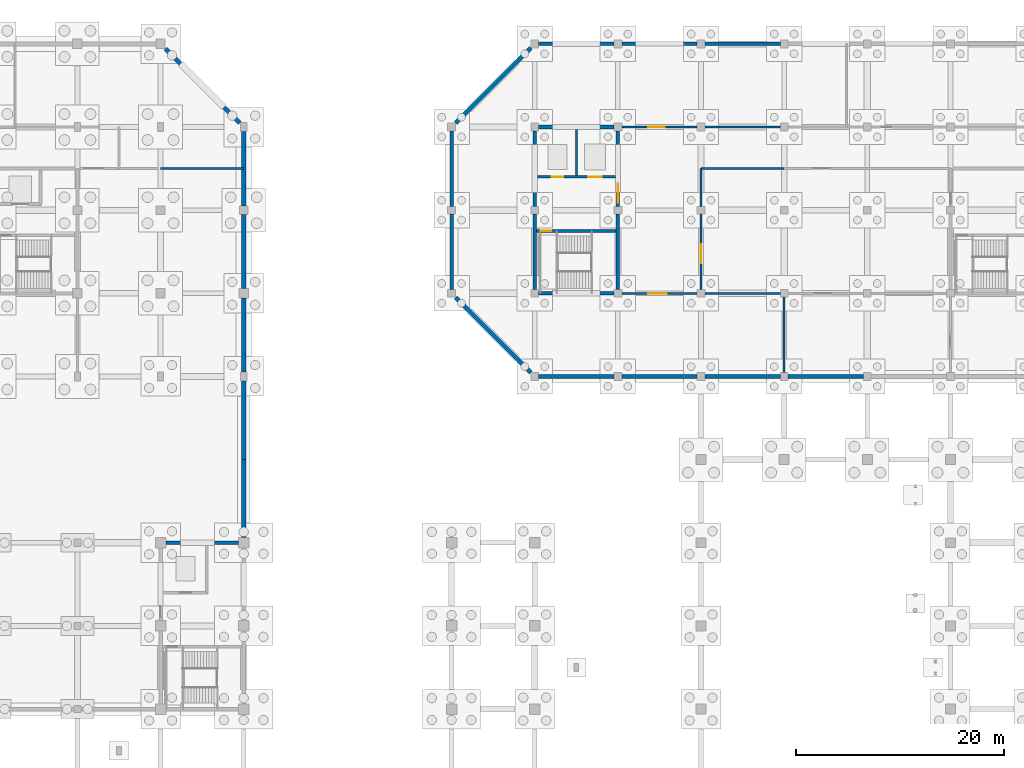
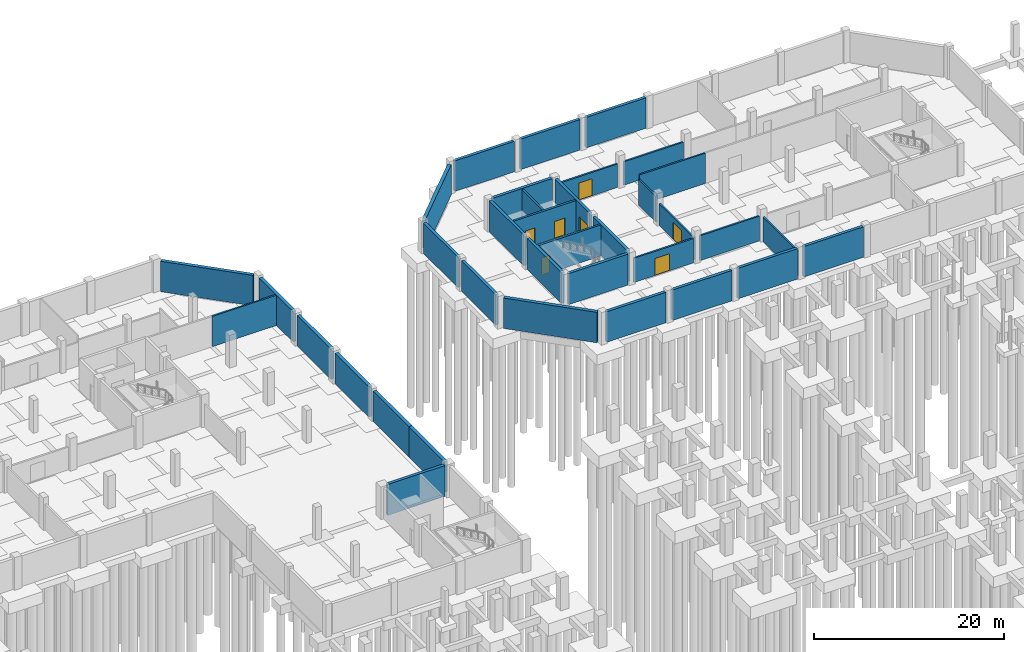
# One storey, part 24 of 32: 36 walls, 7 doors, 7 openings.
"""IFC4 building model written with IfcOpenShell, lengths in metres."""

from ifc_helpers import new_model, si_unit, direction, frame, frame_2d, origin, place, context, subcontext, project, spatial, rectangle, extrude, material, layer, layer_set, type_object, element, fill, save


model = new_model("IFC4")

# Units and contexts
model_context = context("Model", 3, precision=1e-05, world=origin(), true_north=direction((0.0, 1.0)))
body_context = subcontext(model_context, "Body", "Model", "MODEL_VIEW")
ifc_project = project(units=[si_unit("LENGTHUNIT", "METRE"), si_unit("AREAUNIT", "SQUARE_METRE"), si_unit("VOLUMEUNIT", "CUBIC_METRE"), si_unit("PLANEANGLEUNIT", "RADIAN"), si_unit("MASSUNIT", "GRAM", prefix="KILO")], contexts=[model_context])

# Site, building, storey
site_placement = place(None, origin())
site = spatial("IfcSite", under=ifc_project, at=site_placement, CompositionType="ELEMENT")
building_placement = place(site_placement, origin())
building = spatial("IfcBuilding", under=site, at=building_placement, Name="Tenunan Teduh Sports Hall", CompositionType="ELEMENT")
storey_placement = place(building_placement, frame((0.0, 0.0, -4.199951171875)))
storey = spatial("IfcBuildingStorey", under=building, at=storey_placement, Name="B1", CompositionType="ELEMENT", Elevation=-4.199951171875)

# Wall, opening, door
ifc_material_1 = material(Name="Concrete C40/50", Category="concrete")
ifc_layer_1 = layer(ifc_material_1, 0.25)
ifc_layer_set_1 = layer_set([ifc_layer_1], Name="Concrete C40/50")
wall_type_1 = type_object("IfcWallType", Name="WL-COR-250", PredefinedType="SOLIDWALL", material=ifc_layer_set_1)
wall_1_placement = place(storey_placement, frame((106.175048828125, 100.0, 0.0), z_axis=(0.0, 0.0, 1.0), x_axis=(1.0, 0.0, 0.0)))
wall_1 = element("IfcWall", 1, at=wall_1_placement, inside=storey, type_object=wall_type_1, Name="WL-COR-B1-160", PredefinedType="SOLIDWALL", context=body_context, shape_type="SweptSolid", body=[
    extrude(rectangle(XDim=7.64990234375, YDim=0.25, at=frame_2d((3.824951171875, 0.0))), origin(), (0.0, 0.0, 1.0), 3.97998046875),
])
opening_1_placement = place(wall_1_placement, frame((0.425048828125, 0.0, 0.0)))
opening_1 = element("IfcOpeningElement", 2, at=opening_1_placement, cuts=wall_1, Name="Opening FD-01", PredefinedType="OPENING", context=body_context, shape_type="SweptSolid", body=[
    extrude(rectangle(XDim=1.0, YDim=2.199951171875, at=frame_2d((0.5, 1.10009765625))), frame((0.0, 0.135009765625, 0.0), z_axis=(0.0, -1.0, 0.0), x_axis=(1.0, 0.0, 0.0)), (0.0, 0.0, 1.0), 0.27001953125),
])
ifc_material_2 = material(Name="Fire-rated steel leaf and frame", Category="steel")
door_type_1 = type_object("IfcDoorType", Name="FDR-01", OperationType="SINGLE_SWING_LEFT", PredefinedType="DOOR", material=ifc_material_2)
door_1_placement = place(opening_1_placement, frame((1.0, 0.0, 0.0), z_axis=(0.0, 0.0, 1.0), x_axis=(-1.0, 0.0, 0.0)))
door_1 = element("IfcDoor", 3, at=door_1_placement, inside=storey, type_object=door_type_1, Name="DR-INT-B1-060", OperationType="SINGLE_SWING_LEFT", OverallHeight=2.199951171875, OverallWidth=1.0, PredefinedType="DOOR", context=body_context, shape_type="SweptSolid", body=[
    extrude(rectangle(XDim=1.0, YDim=2.199951171875, at=frame_2d((0.5, 1.10009765625))), frame((0.0, 0.02490234375, 0.0), z_axis=(0.0, -1.0, 0.0), x_axis=(1.0, 0.0, 0.0)), (0.0, 0.0, 1.0), 0.050048828125),
])
fill(opening_1, door_1)

# Wall, openings, doors
wall_2_placement = place(storey_placement, frame((106.25, 105.199951171875, 0.0), z_axis=(0.0, 0.0, 1.0), x_axis=(1.0, 0.0, 0.0)))
wall_2 = element("IfcWall", 4, at=wall_2_placement, inside=storey, type_object=wall_type_1, Name="WL-COR-B1-161", PredefinedType="SOLIDWALL", context=body_context, shape_type="SweptSolid", body=[
    extrude(rectangle(XDim=7.5, YDim=0.25, at=frame_2d((3.75, 0.0))), origin(), (0.0, 0.0, 1.0), 3.97998046875),
])
opening_2_placement = place(wall_2_placement, frame((1.39990234375, 0.0, 0.0)))
opening_2 = element("IfcOpeningElement", 5, at=opening_2_placement, cuts=wall_2, Name="Opening LD-1", PredefinedType="OPENING", context=body_context, shape_type="SweptSolid", body=[
    extrude(rectangle(XDim=1.10009765625, YDim=2.199951171875, at=frame_2d((0.550048828125, 1.10009765625))), frame((0.0, 0.135009765625, 0.0), z_axis=(0.0, -1.0, 0.0), x_axis=(1.0, 0.0, 0.0)), (0.0, 0.0, 1.0), 0.27001953125),
])
opening_3_placement = place(wall_2_placement, frame((4.89990234375, 0.0, 0.0)))
opening_3 = element("IfcOpeningElement", 6, at=opening_3_placement, cuts=wall_2, Name="Opening LD-2", PredefinedType="OPENING", context=body_context, shape_type="SweptSolid", body=[
    extrude(rectangle(XDim=1.300048828125, YDim=2.199951171875, at=frame_2d((0.64990234375, 1.10009765625))), frame((0.0, 0.135009765625, 0.0), z_axis=(0.0, -1.0, 0.0), x_axis=(1.0, 0.0, 0.0)), (0.0, 0.0, 1.0), 0.27001953125),
])
ifc_material_3 = material(Name="Brushed stainless steel landing doors", Category="steel")
door_type_2 = type_object("IfcDoorType", Name="LDR-01", OperationType="DOUBLE_DOOR_SLIDING", PredefinedType="DOOR", material=ifc_material_3)
door_2_placement = place(opening_2_placement, origin())
door_2 = element("IfcDoor", 7, at=door_2_placement, inside=storey, type_object=door_type_2, Name="Lift Landing Door LD-24", OperationType="DOUBLE_DOOR_SLIDING", OverallHeight=2.199951171875, OverallWidth=1.10009765625, PredefinedType="DOOR", context=body_context, shape_type="SweptSolid", body=[
    extrude(rectangle(XDim=1.10009765625, YDim=2.199951171875, at=frame_2d((0.550048828125, 1.10009765625))), frame((0.0, 0.02490234375, 0.0), z_axis=(0.0, -1.0, 0.0), x_axis=(1.0, 0.0, 0.0)), (0.0, 0.0, 1.0), 0.050048828125),
])
fill(opening_2, door_2)
ifc_material_4 = material(Name="Fire-fighting lift stainless landing doors")
door_type_3 = type_object("IfcDoorType", Name="LDR-02", OperationType="DOUBLE_DOOR_SLIDING", PredefinedType="DOOR", material=ifc_material_4)
door_3_placement = place(opening_3_placement, origin())
door_3 = element("IfcDoor", 8, at=door_3_placement, inside=storey, type_object=door_type_3, Name="Lift Landing Door LD-25", OperationType="DOUBLE_DOOR_SLIDING", OverallHeight=2.199951171875, OverallWidth=1.300048828125, PredefinedType="DOOR", context=body_context, shape_type="SweptSolid", body=[
    extrude(rectangle(XDim=1.300048828125, YDim=2.199951171875, at=frame_2d((0.64990234375, 1.10009765625))), frame((0.0, 0.02490234375, 0.0), z_axis=(0.0, -1.0, 0.0), x_axis=(1.0, 0.0, 0.0)), (0.0, 0.0, 1.0), 0.050048828125),
])
fill(opening_3, door_3)

# Walls
ifc_material_5 = material(Name="Autoclaved aerated concrete blockwork", Category="masonry")
ifc_layer_2 = layer(ifc_material_5, 0.199951171875)
ifc_layer_set_2 = layer_set([ifc_layer_2], Name="Autoclaved aerated concrete blockwork")
wall_type_2 = type_object("IfcWallType", Name="WL-PRT-200", PredefinedType="PARTITIONING", material=ifc_layer_set_2)
wall_3_placement = place(storey_placement, frame((110.0, 105.35009765625, 0.0), z_axis=(0.0, 0.0, 1.0), x_axis=(0.0, 1.0, 0.0)))
element("IfcWall", 9, at=wall_3_placement, inside=storey, type_object=wall_type_2, Name="WL-PRT-B1-162", PredefinedType="PARTITIONING", context=body_context, shape_type="SweptSolid", body=[
    extrude(rectangle(XDim=4.39990234375, YDim=0.199951171875, at=frame_2d((2.199951171875, 0.0))), origin(), (0.0, 0.0, 1.0), 3.89990234375),
])
wall_4_placement = place(storey_placement, frame((70.0, 106.0, 0.0), z_axis=(0.0, 0.0, 1.0), x_axis=(1.0, 0.0, 0.0)))
element("IfcWall", 10, at=wall_4_placement, inside=storey, type_object=wall_type_2, Name="WL-PRT-B1-264", PredefinedType="PARTITIONING", context=body_context, shape_type="SweptSolid", body=[
    extrude(rectangle(XDim=8.0, YDim=0.199951171875, at=frame_2d((4.0, 0.0))), origin(), (0.0, 0.0, 1.0), 3.89990234375),
])

# Wall, opening, door
wall_5_placement = place(storey_placement, frame((114.375, 94.0, 0.0), z_axis=(0.0, 0.0, 1.0), x_axis=(1.0, 0.0, 0.0)))
wall_5 = element("IfcWall", 11, at=wall_5_placement, inside=storey, type_object=wall_type_2, Name="WL-PRT-B1-265", PredefinedType="PARTITIONING", context=body_context, shape_type="SweptSolid", body=[
    extrude(rectangle(XDim=7.25, YDim=0.199951171875, at=frame_2d((3.625, 0.0))), origin(), (0.0, 0.0, 1.0), 3.119873046875),
])
opening_4_placement = place(wall_5_placement, frame((2.5400390625, 0.0, 0.0)))
opening_4 = element("IfcOpeningElement", 12, at=opening_4_placement, cuts=wall_5, Name="Opening FD-03", PredefinedType="OPENING", context=body_context, shape_type="SweptSolid", body=[
    extrude(rectangle(XDim=1.800048828125, YDim=2.199951171875, at=frame_2d((0.89990234375, 1.10009765625))), frame((0.0, 0.10986328125, 0.0), z_axis=(0.0, -1.0, 0.0), x_axis=(1.0, 0.0, 0.0)), (0.0, 0.0, 1.0), 0.219970703125),
])
ifc_material_6 = material(Name="Fire-rated hardwood pair", Category="wood")
door_type_4 = type_object("IfcDoorType", Name="FDR-03", OperationType="DOUBLE_DOOR_SINGLE_SWING", PredefinedType="DOOR", material=ifc_material_6)
door_4_placement = place(opening_4_placement, origin())
door_4 = element("IfcDoor", 13, at=door_4_placement, inside=storey, type_object=door_type_4, Name="DR-INT-B1-101", OperationType="DOUBLE_DOOR_SINGLE_SWING", OverallHeight=2.199951171875, OverallWidth=1.800048828125, PredefinedType="DOOR", context=body_context, shape_type="SweptSolid", body=[
    extrude(rectangle(XDim=1.800048828125, YDim=2.199951171875, at=frame_2d((0.89990234375, 1.10009765625))), frame((0.0, 0.02490234375, 0.0), z_axis=(0.0, -1.0, 0.0), x_axis=(1.0, 0.0, 0.0)), (0.0, 0.0, 1.0), 0.050048828125),
])
fill(opening_4, door_4)

# Walls
wall_6_placement = place(storey_placement, frame((122.375, 94.0, 0.0), z_axis=(0.0, 0.0, 1.0), x_axis=(1.0, 0.0, 0.0)))
element("IfcWall", 14, at=wall_6_placement, inside=storey, type_object=wall_type_2, Name="WL-PRT-B1-266", PredefinedType="PARTITIONING", context=body_context, shape_type="SweptSolid", body=[
    extrude(rectangle(XDim=7.25, YDim=0.199951171875, at=frame_2d((3.625, 0.0))), origin(), (0.0, 0.0, 1.0), 3.199951171875),
])
wall_7_placement = place(storey_placement, frame((130.0, 86.375, 0.0), z_axis=(0.0, 0.0, 1.0), x_axis=(0.0, 1.0, 0.0)))
element("IfcWall", 15, at=wall_7_placement, inside=storey, type_object=wall_type_2, Name="WL-PRT-B1-269", PredefinedType="PARTITIONING", context=body_context, shape_type="SweptSolid", body=[
    extrude(rectangle(XDim=7.25, YDim=0.199951171875, at=frame_2d((3.625, 0.0))), origin(), (0.0, 0.0, 1.0), 3.169921875),
])

# Wall, opening, door
wall_8_placement = place(storey_placement, frame((122.0, 94.375, 0.0), z_axis=(0.0, 0.0, 1.0), x_axis=(0.0, 1.0, 0.0)))
wall_8 = element("IfcWall", 16, at=wall_8_placement, inside=storey, type_object=wall_type_2, Name="WL-PRT-B1-271", PredefinedType="PARTITIONING", context=body_context, shape_type="SweptSolid", body=[
    extrude(rectangle(XDim=7.25, YDim=0.199951171875, at=frame_2d((3.625, 0.0))), origin(), (0.0, 0.0, 1.0), 2.820068359375),
])
opening_5_placement = place(wall_8_placement, frame((2.5400390625, 0.0, 0.0)))
opening_5 = element("IfcOpeningElement", 17, at=opening_5_placement, cuts=wall_8, Name="Opening FD-03", PredefinedType="OPENING", context=body_context, shape_type="SweptSolid", body=[
    extrude(rectangle(XDim=1.800048828125, YDim=2.199951171875, at=frame_2d((0.89990234375, 1.10009765625))), frame((0.0, 0.10986328125, 0.0), z_axis=(0.0, -1.0, 0.0), x_axis=(1.0, 0.0, 0.0)), (0.0, 0.0, 1.0), 0.219970703125),
])
door_5_placement = place(opening_5_placement, origin())
door_5 = element("IfcDoor", 18, at=door_5_placement, inside=storey, type_object=door_type_4, Name="DR-INT-B1-104", OperationType="DOUBLE_DOOR_SINGLE_SWING", OverallHeight=2.199951171875, OverallWidth=1.800048828125, PredefinedType="DOOR", context=body_context, shape_type="SweptSolid", body=[
    extrude(rectangle(XDim=1.800048828125, YDim=2.199951171875, at=frame_2d((0.89990234375, 1.10009765625))), frame((0.0, 0.02490234375, 0.0), z_axis=(0.0, -1.0, 0.0), x_axis=(1.0, 0.0, 0.0)), (0.0, 0.0, 1.0), 0.050048828125),
])
fill(opening_5, door_5)

# Walls
wall_9_placement = place(storey_placement, frame((122.0, 102.375, 0.0), z_axis=(0.0, 0.0, 1.0), x_axis=(0.0, 1.0, 0.0)))
element("IfcWall", 19, at=wall_9_placement, inside=storey, type_object=wall_type_2, Name="WL-PRT-B1-272", PredefinedType="PARTITIONING", context=body_context, shape_type="SweptSolid", body=[
    extrude(rectangle(XDim=3.625, YDim=0.199951171875, at=frame_2d((1.8125, 0.0))), origin(), (0.0, 0.0, 1.0), 3.320068359375),
])
wall_10_placement = place(storey_placement, frame((122.0, 106.0, 0.0), z_axis=(0.0, 0.0, 1.0), x_axis=(1.0, 0.0, 0.0)))
element("IfcWall", 20, at=wall_10_placement, inside=storey, type_object=wall_type_2, Name="WL-PRT-B1-273", PredefinedType="PARTITIONING", context=body_context, shape_type="SweptSolid", body=[
    extrude(rectangle(XDim=8.0, YDim=0.199951171875, at=frame_2d((4.0, 0.0))), origin(), (0.0, 0.0, 1.0), 3.89990234375),
])

# Wall, opening, door
wall_11_placement = place(storey_placement, frame((114.375, 110.0, 0.0), z_axis=(0.0, 0.0, 1.0), x_axis=(1.0, 0.0, 0.0)))
wall_11 = element("IfcWall", 21, at=wall_11_placement, inside=storey, type_object=wall_type_2, Name="WL-PRT-B1-276", PredefinedType="PARTITIONING", context=body_context, shape_type="SweptSolid", body=[
    extrude(rectangle(XDim=7.25, YDim=0.199951171875, at=frame_2d((3.625, 0.0))), origin(), (0.0, 0.0, 1.0), 3.02001953125),
])
opening_6_placement = place(wall_11_placement, frame((2.5400390625, 0.0, 0.0)))
opening_6 = element("IfcOpeningElement", 22, at=opening_6_placement, cuts=wall_11, Name="Opening FD-04", PredefinedType="OPENING", context=body_context, shape_type="SweptSolid", body=[
    extrude(rectangle(XDim=1.60009765625, YDim=2.199951171875, at=frame_2d((0.800048828125, 1.10009765625))), frame((0.0, 0.10986328125, 0.0), z_axis=(0.0, -1.0, 0.0), x_axis=(1.0, 0.0, 0.0)), (0.0, 0.0, 1.0), 0.219970703125),
])
ifc_material_7 = material(Name="Fire-rated hardwood pair", Category="wood")
door_type_5 = type_object("IfcDoorType", Name="FDR-04", OperationType="DOUBLE_DOOR_SINGLE_SWING", PredefinedType="DOOR", material=ifc_material_7)
door_6_placement = place(opening_6_placement, frame((1.60009765625, 0.0, 0.0), z_axis=(0.0, 0.0, 1.0), x_axis=(-1.0, 0.0, 0.0)))
door_6 = element("IfcDoor", 23, at=door_6_placement, inside=storey, type_object=door_type_5, Name="DR-INT-B1-106", OperationType="DOUBLE_DOOR_SINGLE_SWING", OverallHeight=2.199951171875, OverallWidth=1.60009765625, PredefinedType="DOOR", context=body_context, shape_type="SweptSolid", body=[
    extrude(rectangle(XDim=1.60009765625, YDim=2.199951171875, at=frame_2d((0.800048828125, 1.10009765625))), frame((0.0, 0.02490234375, 0.0), z_axis=(0.0, -1.0, 0.0), x_axis=(1.0, 0.0, 0.0)), (0.0, 0.0, 1.0), 0.050048828125),
])
fill(opening_6, door_6)

# Walls
wall_12_placement = place(storey_placement, frame((122.375, 110.0, 0.0), z_axis=(0.0, 0.0, 1.0), x_axis=(1.0, 0.0, 0.0)))
element("IfcWall", 24, at=wall_12_placement, inside=storey, type_object=wall_type_2, Name="WL-PRT-B1-277", PredefinedType="PARTITIONING", context=body_context, shape_type="SweptSolid", body=[
    extrude(rectangle(XDim=7.25, YDim=0.199951171875, at=frame_2d((3.625, 0.0))), origin(), (0.0, 0.0, 1.0), 3.02001953125),
])
ifc_material_8 = material(Name="Concrete C40/50", Category="concrete")
ifc_layer_3 = layer(ifc_material_8, 0.35009765625)
ifc_layer_set_3 = layer_set([ifc_layer_3], Name="Concrete C40/50")
wall_type_3 = type_object("IfcWallType", Name="WL-RET-350", PredefinedType="USERDEFINED", material=ifc_layer_set_3)
for number, where, z_axis, x_axis, name in (
    (25, (106.375, 86.0, 0.0), (0.0, 0.0, 1.0), (1.0, 0.0, 0.0), "WL-EXT-B1-028"),
    (26, (114.375, 86.0, 0.0), (0.0, 0.0, 1.0), (1.0, 0.0, 0.0), "WL-EXT-B1-029"),
    (27, (122.375, 86.0, 0.0), (0.0, 0.0, 1.0), (1.0, 0.0, 0.0), "WL-EXT-B1-030"),
    (28, (130.375, 86.0, 0.0), (0.0, 0.0, 1.0), (1.0, 0.0, 0.0), "WL-EXT-B1-031"),
    (29, (106.375, 118.0, 0.0), (0.0, 0.0, 1.0), (1.0, 0.0, 0.0), "WL-EXT-B1-038"),
    (30, (114.375, 118.0, 0.0), (0.0, 0.0, 1.0), (1.0, 0.0, 0.0), "WL-EXT-B1-039"),
    (31, (122.375, 118.0, 0.0), (0.0, 0.0, 1.0), (1.0, 0.0, 0.0), "WL-EXT-B1-040"),
    (32, (98.0, 94.375, 0.0), (0.0, 0.0, 1.0), (0.0, 1.0, 0.0), "WL-EXT-B1-044"),
    (33, (98.0, 102.375, 0.0), (0.0, 0.0, 1.0), (0.0, 1.0, 0.0), "WL-EXT-B1-045"),
):
    element("IfcWall", number, at=place(storey_placement, frame(where, z_axis=z_axis, x_axis=x_axis)), inside=storey, type_object=wall_type_3, Name=name, ObjectType="RETAINING WALL", PredefinedType="USERDEFINED", context=body_context, shape_type="SweptSolid", body=[
        extrude(rectangle(XDim=7.25, YDim=0.35009765625, at=frame_2d((3.625, 0.0))), origin(), (0.0, 0.0, 1.0), 3.919921875),
    ])
ifc_material_9 = material(Name="Concrete C40/50", Category="concrete")
ifc_layer_4 = layer(ifc_material_9, 0.39990234375)
ifc_layer_set_4 = layer_set([ifc_layer_4], Name="Concrete C40/50")
wall_type_4 = type_object("IfcWallType", Name="WL-RET-400", PredefinedType="USERDEFINED", material=ifc_layer_set_4)
wall_13_placement = place(storey_placement, frame((78.0, 70.5, 0.0), z_axis=(0.0, 0.0, 1.0), x_axis=(0.0, 1.0, 0.0)))
element("IfcWall", 34, at=wall_13_placement, inside=storey, type_object=wall_type_4, Name="WL-EXT-B1-018", ObjectType="RETAINING WALL", PredefinedType="USERDEFINED", context=body_context, shape_type="SweptSolid", body=[
    extrude(rectangle(XDim=7.5, YDim=0.39990234375, at=frame_2d((3.75, 0.0))), origin(), (0.0, 0.0, 1.0), 3.919921875),
])
wall_14_placement = place(storey_placement, frame((78.0, 78.0, 0.0), z_axis=(0.0, 0.0, 1.0), x_axis=(0.0, 1.0, 0.0)))
element("IfcWall", 35, at=wall_14_placement, inside=storey, type_object=wall_type_4, Name="WL-EXT-B1-019", ObjectType="RETAINING WALL", PredefinedType="USERDEFINED", context=body_context, shape_type="SweptSolid", body=[
    extrude(rectangle(XDim=7.550048828125, YDim=0.39990234375, at=frame_2d((3.77490234375, 0.0))), origin(), (0.0, 0.0, 1.0), 3.919921875),
])
wall_15_placement = place(storey_placement, frame((78.0, 86.449951171875, 0.0), z_axis=(0.0, 0.0, 1.0), x_axis=(0.0, 1.0, 0.0)))
element("IfcWall", 36, at=wall_15_placement, inside=storey, type_object=wall_type_4, Name="WL-EXT-B1-020", ObjectType="RETAINING WALL", PredefinedType="USERDEFINED", context=body_context, shape_type="SweptSolid", body=[
    extrude(rectangle(XDim=7.10009765625, YDim=0.39990234375, at=frame_2d((3.550048828125, 0.0))), origin(), (0.0, 0.0, 1.0), 3.919921875),
])
for number, where, z_axis, x_axis, name in (
    (37, (78.0, 94.449951171875, 0.0), (0.0, 0.0, 1.0), (0.0, 1.0, 0.0), "WL-EXT-B1-021"),
    (38, (78.0, 102.425048828125, 0.0), (0.0, 0.0, 1.0), (0.0, 1.0, 0.0), "WL-EXT-B1-022"),
):
    element("IfcWall", number, at=place(storey_placement, frame(where, z_axis=z_axis, x_axis=x_axis)), inside=storey, type_object=wall_type_4, Name=name, ObjectType="RETAINING WALL", PredefinedType="USERDEFINED", context=body_context, shape_type="SweptSolid", body=[
        extrude(rectangle(XDim=7.125, YDim=0.39990234375, at=frame_2d((3.5625, 0.0))), origin(), (0.0, 0.0, 1.0), 3.919921875),
    ])
wall_16_placement = place(storey_placement, frame((70.472412109375, 117.527587890625, 0.0), z_axis=(0.0, 0.0, 1.0), x_axis=(0.707106781187, -0.707106781187, 0.0)))
element("IfcWall", 39, at=wall_16_placement, inside=storey, type_object=wall_type_4, Name="WL-EXT-B1-047", ObjectType="RETAINING WALL", PredefinedType="USERDEFINED", context=body_context, shape_type="SweptSolid", body=[
    extrude(rectangle(XDim=10.088623046875, YDim=0.39990234375, at=frame_2d((5.04443359375, 0.0))), origin(), (0.0, 0.0, 1.0), 3.919921875),
])
for number, where, z_axis, x_axis, name in (
    (40, (98.393798828125, 110.393798828125, 0.0), (0.0, 0.0, 1.0), (0.707106781187, 0.707106781187, 0.0), "WL-EXT-B1-048"),
    (41, (98.393798828125, 93.606201171875, 0.0), (0.0, 0.0, 1.0), (0.707106781187, -0.707106781187, 0.0), "WL-EXT-B1-050"),
):
    element("IfcWall", number, at=place(storey_placement, frame(where, z_axis=z_axis, x_axis=x_axis)), inside=storey, type_object=wall_type_4, Name=name, ObjectType="RETAINING WALL", PredefinedType="USERDEFINED", context=body_context, shape_type="SweptSolid", body=[
        extrude(rectangle(XDim=10.199951171875, YDim=0.39990234375, at=frame_2d((5.10009765625, 0.0))), origin(), (0.0, 0.0, 1.0), 3.919921875),
    ])
ifc_material_10 = material(Name="Concrete C40/50", Category="concrete")
ifc_layer_5 = layer(ifc_material_10, 0.35009765625)
ifc_layer_set_5 = layer_set([ifc_layer_5], Name="Concrete C40/50")
wall_type_5 = type_object("IfcWallType", Name="WL-SHR-350", PredefinedType="SHEAR", material=ifc_layer_set_5)
for number, where, z_axis, x_axis, name in (
    (42, (106.375, 94.0, 0.0), (0.0, 0.0, 1.0), (1.0, 0.0, 0.0), "WL-COR-B1-154"),
    (43, (106.375, 110.0, 0.0), (0.0, 0.0, 1.0), (1.0, 0.0, 0.0), "WL-COR-B1-155"),
    (44, (106.0, 94.375, 0.0), (0.0, 0.0, 1.0), (0.0, 1.0, 0.0), "WL-COR-B1-156"),
    (45, (106.0, 102.375, 0.0), (0.0, 0.0, 1.0), (0.0, 1.0, 0.0), "WL-COR-B1-157"),
    (46, (114.0, 94.375, 0.0), (0.0, 0.0, 1.0), (0.0, 1.0, 0.0), "WL-COR-B1-158"),
):
    element("IfcWall", number, at=place(storey_placement, frame(where, z_axis=z_axis, x_axis=x_axis)), inside=storey, type_object=wall_type_5, Name=name, PredefinedType="SHEAR", context=body_context, shape_type="SweptSolid", body=[
        extrude(rectangle(XDim=7.25, YDim=0.35009765625, at=frame_2d((3.625, 0.0))), origin(), (0.0, 0.0, 1.0), 3.97998046875),
    ])

# Wall, opening, door
wall_17_placement = place(storey_placement, frame((114.0, 102.375, 0.0), z_axis=(0.0, 0.0, 1.0), x_axis=(0.0, 1.0, 0.0)))
wall_17 = element("IfcWall", 47, at=wall_17_placement, inside=storey, type_object=wall_type_5, Name="WL-COR-B1-159", PredefinedType="SHEAR", context=body_context, shape_type="SweptSolid", body=[
    extrude(rectangle(XDim=7.25, YDim=0.35009765625, at=frame_2d((3.625, 0.0))), origin(), (0.0, 0.0, 1.0), 3.97998046875),
])
opening_7_placement = place(wall_17_placement, frame((0.35009765625, 0.0, 0.0)))
opening_7 = element("IfcOpeningElement", 48, at=opening_7_placement, cuts=wall_17, Name="Opening FD-03", PredefinedType="OPENING", context=body_context, shape_type="SweptSolid", body=[
    extrude(rectangle(XDim=1.800048828125, YDim=2.199951171875, at=frame_2d((0.89990234375, 1.10009765625))), frame((0.0, 0.18505859375, 0.0), z_axis=(0.0, -1.0, 0.0), x_axis=(1.0, 0.0, 0.0)), (0.0, 0.0, 1.0), 0.3701171875),
])
door_7_placement = place(opening_7_placement, frame((1.800048828125, 0.0, 0.0), z_axis=(0.0, 0.0, 1.0), x_axis=(-1.0, 0.0, 0.0)))
door_7 = element("IfcDoor", 49, at=door_7_placement, inside=storey, type_object=door_type_4, Name="DR-INT-B1-059", OperationType="DOUBLE_DOOR_SINGLE_SWING", OverallHeight=2.199951171875, OverallWidth=1.800048828125, PredefinedType="DOOR", context=body_context, shape_type="SweptSolid", body=[
    extrude(rectangle(XDim=1.800048828125, YDim=2.199951171875, at=frame_2d((0.89990234375, 1.10009765625))), frame((0.0, 0.02490234375, 0.0), z_axis=(0.0, -1.0, 0.0), x_axis=(1.0, 0.0, 0.0)), (0.0, 0.0, 1.0), 0.050048828125),
])
fill(opening_7, door_7)

# Wall
wall_18_placement = place(storey_placement, frame((70.5, 70.0, 0.0), z_axis=(0.0, 0.0, 1.0), x_axis=(1.0, 0.0, 0.0)))
element("IfcWall", 50, at=wall_18_placement, inside=storey, type_object=wall_type_5, Name="WL-COR-B1-219", PredefinedType="SHEAR", context=body_context, shape_type="SweptSolid", body=[
    extrude(rectangle(XDim=7.0, YDim=0.35009765625, at=frame_2d((3.5, 0.0))), origin(), (0.0, 0.0, 1.0), 3.97998046875),
])

save(model, "model.ifc")
